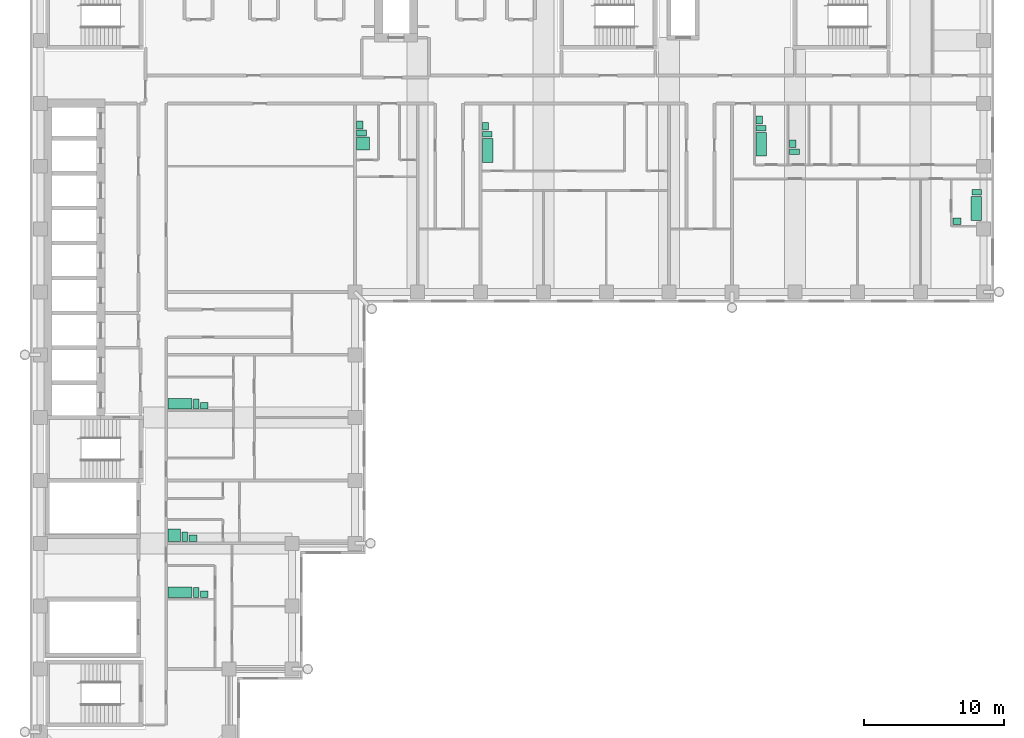
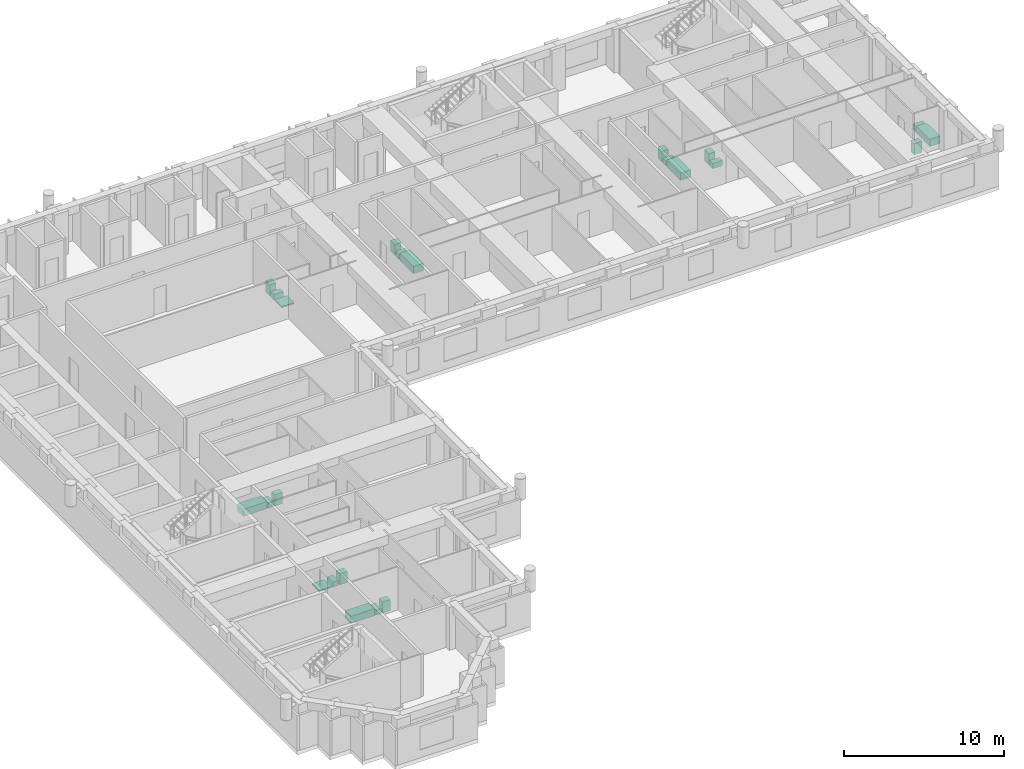
# One storey, part 15 of 15: 23 sanitary terminals.
"""IFC4 building model written with IfcOpenShell, lengths in metres."""

from ifc_helpers import new_model, si_unit, direction, frame, origin, origin_2d, place, context, subcontext, project, spatial, rectangle, extrude, material, type_object, element, save


model = new_model("IFC4")

# Units and contexts
model_context = context("Model", 3, precision=1e-05, world=origin(), true_north=direction((0.0, 1.0)))
body_context = subcontext(model_context, "Body", "Model", "MODEL_VIEW")
ifc_project = project(units=[si_unit("LENGTHUNIT", "METRE"), si_unit("AREAUNIT", "SQUARE_METRE"), si_unit("VOLUMEUNIT", "CUBIC_METRE"), si_unit("PLANEANGLEUNIT", "RADIAN"), si_unit("MASSUNIT", "GRAM", prefix="KILO")], contexts=[model_context])

# Site, building, storey
site_placement = place(None, origin())
site = spatial("IfcSite", under=ifc_project, at=site_placement, CompositionType="ELEMENT")
building_placement = place(site_placement, origin())
building = spatial("IfcBuilding", under=site, at=building_placement, Name="Firuza Court", CompositionType="ELEMENT")
storey_placement = place(building_placement, frame((0.0, 0.0, 137.60009765625)))
storey = spatial("IfcBuildingStorey", under=building, at=storey_placement, Name="L34", CompositionType="ELEMENT", Elevation=137.60009765625)

# Sanitary terminals
ifc_material_1 = material(Name="Vitreous china", Category="ceramic")
sanitary_terminal_type_1 = type_object("IfcSanitaryTerminalType", Name="Fixture Bath", PredefinedType="BATH", material=ifc_material_1)
for number, where, z_axis, x_axis, name in (
    (1, (32.0048828125, 46.1298828125, 0.0), (0.0, 0.0, 1.0), (1.0, 0.0, 0.0), "Bath"),
    (2, (51.60498046875, 46.580078125, 0.0), (0.0, 0.0, 1.0), (1.0, 0.0, 0.0), "Bath"),
    (3, (66.9951171875, 41.97998046875, 0.0), (0.0, 0.0, 1.0), (1.0, 0.0, 0.0), "Bath"),
):
    element("IfcSanitaryTerminal", number, at=place(storey_placement, frame(where, z_axis=z_axis, x_axis=x_axis)), inside=storey, type_object=sanitary_terminal_type_1, Name=name, PredefinedType="BATH", context=body_context, shape_type="SweptSolid", body=[
        extrude(rectangle(XDim=0.75, YDim=1.699951171875, at=origin_2d()), origin(), (0.0, 0.0, 1.0), 0.550048828125),
    ])
for number, where, z_axis, x_axis, name in (
    (4, (9.97998046875, 28.0048828125, 0.0), (0.0, 0.0, 1.0), (1.0, 0.0, 0.0), "Bath"),
    (5, (9.97998046875, 14.5048828125, 0.0), (0.0, 0.0, 1.0), (1.0, 0.0, 0.0), "Bath"),
):
    element("IfcSanitaryTerminal", number, at=place(storey_placement, frame(where, z_axis=z_axis, x_axis=x_axis)), inside=storey, type_object=sanitary_terminal_type_1, Name=name, PredefinedType="BATH", context=body_context, shape_type="SweptSolid", body=[
        extrude(rectangle(XDim=1.699951171875, YDim=0.75, at=origin_2d()), origin(), (0.0, 0.0, 1.0), 0.550048828125),
    ])
ifc_material_2 = material(Name="Vitreous china", Category="ceramic")
sanitary_terminal_type_2 = type_object("IfcSanitaryTerminalType", Name="Fixture Shower tray", PredefinedType="SHOWER", material=ifc_material_2)
for number, where, z_axis, x_axis, name in (
    (6, (23.080078125, 46.6298828125, -0.000244140625), (0.0, 0.0, 1.0), (1.0, 0.0, 0.0), "Shower tray"),
    (7, (9.580078125, 18.580078125, -0.000244140625), (0.0, 0.0, 1.0), (1.0, 0.0, 0.0), "Shower tray"),
):
    element("IfcSanitaryTerminal", number, at=place(storey_placement, frame(where, z_axis=z_axis, x_axis=x_axis)), inside=storey, type_object=sanitary_terminal_type_2, Name=name, PredefinedType="SHOWER", context=body_context, shape_type="SweptSolid", body=[
        extrude(rectangle(XDim=0.89990234375, YDim=0.89990234375, at=origin_2d()), origin(), (0.0, 0.0, 1.0), 0.10009765625),
    ])
ifc_material_3 = material(Name="Vitreous china", Category="ceramic")
sanitary_terminal_type_3 = type_object("IfcSanitaryTerminalType", Name="Fixture WC pan", PredefinedType="TOILETPAN", material=ifc_material_3)
for number, where, z_axis, x_axis, name in (
    (8, (22.97998046875, 47.3798828125, 0.0), (0.0, 0.0, 1.0), (1.0, 0.0, 0.0), "WC pan"),
    (9, (31.97998046875, 47.280029296875, 0.0), (0.0, 0.0, 1.0), (1.0, 0.0, 0.0), "WC pan"),
    (10, (51.580078125, 47.72998046875, 0.0), (0.0, 0.0, 1.0), (1.0, 0.0, 0.0), "WC pan"),
    (11, (53.97998046875, 46.030029296875, 0.0), (0.0, 0.0, 1.0), (1.0, 0.0, 0.0), "WC pan"),
    (12, (67.02001953125, 43.1298828125, 0.0), (0.0, 0.0, 1.0), (1.0, 0.0, 0.0), "WC pan"),
):
    element("IfcSanitaryTerminal", number, at=place(storey_placement, frame(where, z_axis=z_axis, x_axis=x_axis)), inside=storey, type_object=sanitary_terminal_type_3, Name=name, PredefinedType="TOILETPAN", context=body_context, shape_type="SweptSolid", body=[
        extrude(rectangle(XDim=0.699951171875, YDim=0.39990234375, at=origin_2d()), origin(), (0.0, 0.0, 1.0), 0.39990234375),
    ])
for number, where, z_axis, x_axis, name in (
    (13, (11.1298828125, 27.97998046875, 0.0), (0.0, 0.0, 1.0), (1.0, 0.0, 0.0), "WC pan"),
    (14, (10.330078125, 18.47998046875, 0.0), (0.0, 0.0, 1.0), (1.0, 0.0, 0.0), "WC pan"),
    (15, (11.1298828125, 14.47998046875, 0.0), (0.0, 0.0, 1.0), (1.0, 0.0, 0.0), "WC pan"),
):
    element("IfcSanitaryTerminal", number, at=place(storey_placement, frame(where, z_axis=z_axis, x_axis=x_axis)), inside=storey, type_object=sanitary_terminal_type_3, Name=name, PredefinedType="TOILETPAN", context=body_context, shape_type="SweptSolid", body=[
        extrude(rectangle(XDim=0.39990234375, YDim=0.699951171875, at=origin_2d()), origin(), (0.0, 0.0, 1.0), 0.39990234375),
    ])
ifc_material_4 = material(Name="Vitreous china", Category="ceramic")
sanitary_terminal_type_4 = type_object("IfcSanitaryTerminalType", Name="Fixture Washbasin", PredefinedType="WASHHANDBASIN", material=ifc_material_4)
for number, where, z_axis, x_axis, name in (
    (16, (22.85498046875, 47.955078125, -0.000244140625), (0.0, 0.0, 1.0), (1.0, 0.0, 0.0), "Washbasin"),
    (17, (31.85498046875, 47.85498046875, -0.000244140625), (0.0, 0.0, 1.0), (1.0, 0.0, 0.0), "Washbasin"),
    (18, (51.455078125, 48.304931640625, -0.000244140625), (0.0, 0.0, 1.0), (1.0, 0.0, 0.0), "Washbasin"),
    (19, (53.85498046875, 46.60498046875, -0.000244140625), (0.0, 0.0, 1.0), (1.0, 0.0, 0.0), "Washbasin"),
):
    element("IfcSanitaryTerminal", number, at=place(storey_placement, frame(where, z_axis=z_axis, x_axis=x_axis)), inside=storey, type_object=sanitary_terminal_type_4, Name=name, PredefinedType="WASHHANDBASIN", context=body_context, shape_type="SweptSolid", body=[
        extrude(rectangle(XDim=0.449951171875, YDim=0.550048828125, at=origin_2d()), origin(), (0.0, 0.0, 1.0), 0.85009765625),
    ])
for number, where, z_axis, x_axis, name in (
    (20, (65.60498046875, 41.054931640625, -0.000244140625), (0.0, 0.0, 1.0), (1.0, 0.0, 0.0), "Washbasin"),
    (21, (11.705078125, 27.85498046875, -0.000244140625), (0.0, 0.0, 1.0), (1.0, 0.0, 0.0), "Washbasin"),
    (22, (10.905029296875, 18.35498046875, -0.000244140625), (0.0, 0.0, 1.0), (1.0, 0.0, 0.0), "Washbasin"),
    (23, (11.705078125, 14.35498046875, -0.000244140625), (0.0, 0.0, 1.0), (1.0, 0.0, 0.0), "Washbasin"),
):
    element("IfcSanitaryTerminal", number, at=place(storey_placement, frame(where, z_axis=z_axis, x_axis=x_axis)), inside=storey, type_object=sanitary_terminal_type_4, Name=name, PredefinedType="WASHHANDBASIN", context=body_context, shape_type="SweptSolid", body=[
        extrude(rectangle(XDim=0.550048828125, YDim=0.449951171875, at=origin_2d()), origin(), (0.0, 0.0, 1.0), 0.85009765625),
    ])

save(model, "model.ifc")
